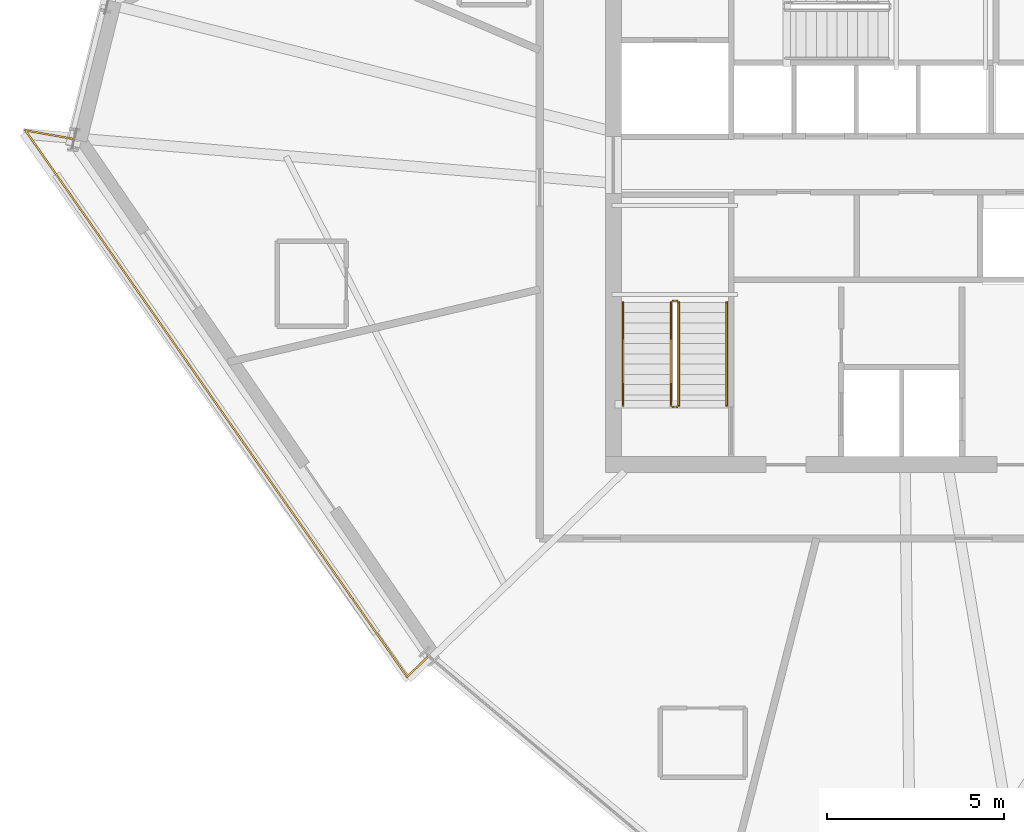
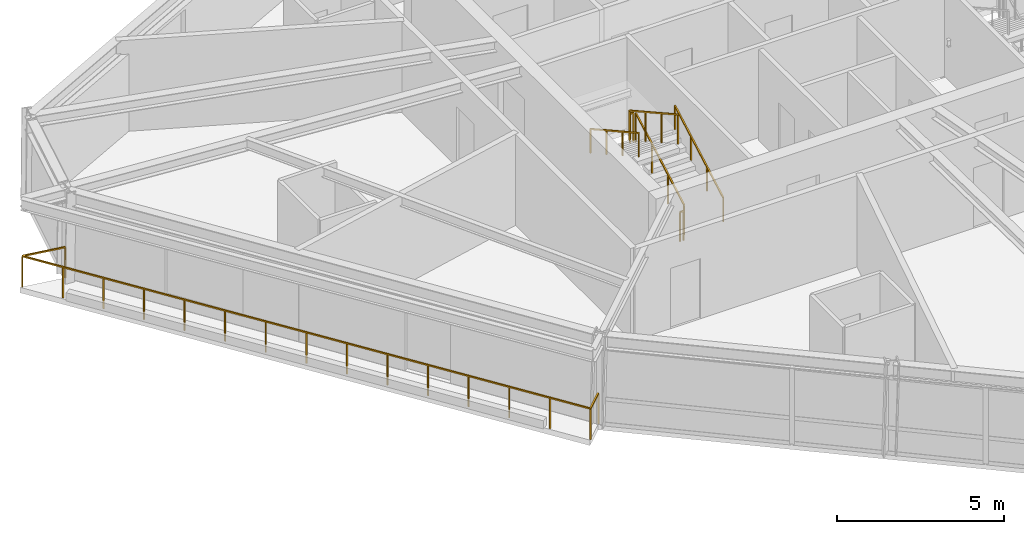
# One storey, part 12 of 14: 7 railings.
"""IFC4 building model written with IfcOpenShell, lengths in metres."""

import ifcopenshell
import ifcopenshell.guid

model = None  # the IFC model being written
_history = None  # IfcOwnerHistory: only IFC2X3 demands one
_inside = {}  # id of a spatial element -> (the spatial element, [elements in it])
_under = {}  # id of a project, library or spatial element -> (it, [spatial elements below it])
_declared = {}  # id of a project -> (the project, [libraries it declares])
_typed = {}  # id of a type object -> (the type object, [elements of that type])
_made_of = {}  # id of a material, layer set ... -> (it, [elements and type objects made of it])


def new_model(schema):
    """Start an empty IFC model of exactly this schema.

    Asked for "IFC4X3", IfcOpenShell would pick the latest addendum, in which some entities
    have other attributes; the version numbers below select the first issue.
    IFC2X3 requires an IfcOwnerHistory on every rooted entity: one is made here for all.
    """
    global model, _history
    if schema == "IFC4X3":
        model = ifcopenshell.file(schema_version=(4, 3, 0, 0))
    else:
        model = ifcopenshell.file(schema=schema)
    _inside.clear()
    _under.clear()
    _declared.clear()
    _typed.clear()
    _made_of.clear()
    _history = None
    if model.schema == "IFC2X3":
        org = make("IfcOrganization", Name="unknown")
        user = make(
            "IfcPersonAndOrganization",
            ThePerson=make("IfcPerson", FamilyName="unknown"),
            TheOrganization=org,
        )
        app = make(
            "IfcApplication",
            ApplicationDeveloper=org,
            Version="unknown",
            ApplicationFullName="unknown",
            ApplicationIdentifier="unknown",
        )
        _history = make(
            "IfcOwnerHistory",
            OwningUser=user,
            OwningApplication=app,
            ChangeAction="ADDED",
            CreationDate=0,
        )
    return model


def make(cls, **values):
    """One entity of the class cls with the attributes given. An attribute that is None is left unset."""
    return model.create_entity(
        cls, **{name: value for name, value in values.items() if value is not None}
    )


def rooted(cls, **values):
    """An entity with a GlobalId (a new one), such as an element, a storey or a relation."""
    return make(cls, GlobalId=ifcopenshell.guid.new(), OwnerHistory=_history, **values)


def si_unit(unit_type, name, prefix=None):
    """IfcSIUnit, for example si_unit("LENGTHUNIT", "METRE", prefix="MILLI")."""
    return make("IfcSIUnit", UnitType=unit_type, Prefix=prefix, Name=name)


def assignment(units):
    """IfcUnitAssignment: the units of a project."""
    return None if units is None else make("IfcUnitAssignment", Units=units)


def point(xyz):
    """IfcCartesianPoint."""
    return None if xyz is None else make("IfcCartesianPoint", Coordinates=xyz)


def direction(xyz):
    """IfcDirection."""
    return None if xyz is None else make("IfcDirection", DirectionRatios=xyz)


def frame(location, z_axis=None, x_axis=None):
    """IfcAxis2Placement3D, a coordinate frame: its origin and axes. An axis left out is left unset."""
    return make(
        "IfcAxis2Placement3D",
        Location=point(location),
        Axis=direction(z_axis),
        RefDirection=direction(x_axis),
    )


def frame_2d(location, x_axis=None):
    """IfcAxis2Placement2D, a coordinate frame in the plane: its origin and x axis."""
    return make(
        "IfcAxis2Placement2D", Location=point(location), RefDirection=direction(x_axis)
    )


def origin():
    """The frame at (0, 0, 0) with its axes left unset."""
    return frame((0.0, 0.0, 0.0))


def origin_2d():
    """The frame at (0, 0) in the plane with its x axis left unset."""
    return frame_2d((0.0, 0.0))


def place(relative_to, where):
    """IfcLocalPlacement: puts the frame where relative to a parent placement (None: the world)."""
    return make(
        "IfcLocalPlacement", PlacementRelTo=relative_to, RelativePlacement=where
    )


def context(
    kind, dimensions, precision=None, world=None, true_north=None, identifier=None
):
    """IfcGeometricRepresentationContext, for example the 3D "Model" context."""
    return make(
        "IfcGeometricRepresentationContext",
        ContextIdentifier=identifier,
        ContextType=kind,
        CoordinateSpaceDimension=dimensions,
        Precision=precision,
        WorldCoordinateSystem=world,
        TrueNorth=true_north,
    )


def subcontext(parent, identifier, kind, view, scale=None):
    """IfcGeometricRepresentationSubContext, for example "Body" below "Model"."""
    return make(
        "IfcGeometricRepresentationSubContext",
        ContextIdentifier=identifier,
        ContextType=kind,
        ParentContext=parent,
        TargetScale=scale,
        TargetView=view,
    )


def project(units=None, contexts=None):
    """IfcProject with its units and contexts."""
    return rooted(
        "IfcProject",
        Name="project",
        RepresentationContexts=contexts,
        UnitsInContext=assignment(units),
    )


def spatial(cls, under=None, at=None, **own):
    """A site, building, storey or space (cls), placed at a placement, below another one or the project."""
    s = rooted(cls, ObjectPlacement=at, **own)
    if under is not None:
        _under.setdefault(under.id(), (under, []))[1].append(s)
    return s


def profile(cls, at=None, kind="AREA", **sizes):
    """A parametric profile (cls). Its sizes go by their IFC names, for example OverallWidth=200.0."""
    return make(cls, ProfileType=kind, Position=at, **sizes)


def rectangle(**sizes):
    """IfcRectangleProfileDef."""
    return profile("IfcRectangleProfileDef", **sizes)


def extrude(swept, where, along, depth):
    """IfcExtrudedAreaSolid: the profile swept, set in the frame where, extruded along a direction by depth."""
    return make(
        "IfcExtrudedAreaSolid",
        SweptArea=swept,
        Position=where,
        ExtrudedDirection=direction(along),
        Depth=depth,
    )


def shape(context_of_items, identifier, shape_type, items):
    """IfcShapeRepresentation: the items that make up one representation, for example the "Body"."""
    return make(
        "IfcShapeRepresentation",
        ContextOfItems=context_of_items,
        RepresentationIdentifier=identifier,
        RepresentationType=shape_type,
        Items=items,
    )


def material(Name=None, Category=None):
    """IfcMaterial."""
    return make("IfcMaterial", Name=Name, Category=Category)


def made_of(thing, what):
    """Note that an element or type object is made of a material, layer set ...; save() writes the relation."""
    if what is not None:
        _made_of.setdefault(what.id(), (what, []))[1].append(thing)
    return thing


def type_object(cls, material=None, **own):
    """A type object (cls), such as IfcWallType, which elements share."""
    return made_of(rooted(cls, **own), material)


def element(
    cls,
    number,
    at=None,
    inside=None,
    cuts=None,
    type_object=None,
    material=None,
    context=None,
    identifier="Body",
    shape_type=None,
    held_by="IfcProductDefinitionShape",
    body=None,
    shapes=None,
    **own,
):
    """One element of the class cls, such as IfcWall. Its Tag is "e" and its number.

    at: its placement. inside: the storey or other place that contains it. cuts: it is an
    opening in that element (IfcRelVoidsElement). A single representation is given by context,
    identifier, shape_type and body (its items); several are given by shapes. held_by: the class
    of the entity that holds the representations. save() writes the other relations.
    """
    e = rooted(cls, Tag="e%d" % number, ObjectPlacement=at, **own)
    if body is not None:
        shapes = [shape(context, identifier, shape_type, body)]
    if shapes is not None:
        e.Representation = make(held_by, Representations=shapes)
    if inside is not None:
        _inside.setdefault(inside.id(), (inside, []))[1].append(e)
    if cuts is not None:
        rooted(
            "IfcRelVoidsElement", RelatingBuildingElement=cuts, RelatedOpeningElement=e
        )
    if type_object is not None:
        _typed.setdefault(type_object.id(), (type_object, []))[1].append(e)
    return made_of(e, material)


def aggregate(whole, parts):
    """IfcRelAggregates: a whole, such as a stair, and the parts it consists of."""
    return rooted("IfcRelAggregates", RelatingObject=whole, RelatedObjects=parts)


def save(model, path):
    """Write the relations noted so far, then the file.

    IfcRelAggregates (storeys below a building ...), IfcRelContainedInSpatialStructure (elements
    in a storey), IfcRelDefinesByType, IfcRelAssociatesMaterial and IfcRelDeclares: one each for
    every whole, place, type object, material and project.
    """
    for whole, parts in _under.values():
        aggregate(whole, parts)
    for where, things in _inside.values():
        rooted(
            "IfcRelContainedInSpatialStructure",
            RelatedElements=things,
            RelatingStructure=where,
        )
    for kind, things in _typed.values():
        rooted("IfcRelDefinesByType", RelatedObjects=things, RelatingType=kind)
    for what, things in _made_of.values():
        rooted("IfcRelAssociatesMaterial", RelatedObjects=things, RelatingMaterial=what)
    for by, libraries in _declared.values():
        rooted("IfcRelDeclares", RelatingContext=by, RelatedDefinitions=libraries)
    model.write(path)


model = new_model("IFC4")

# Units and contexts
model_context = context("Model", 3, precision=1e-05, world=origin(), true_north=direction((0.0, 1.0)))
body_context = subcontext(model_context, "Body", "Model", "MODEL_VIEW")
ifc_project = project(units=[si_unit("LENGTHUNIT", "METRE"), si_unit("AREAUNIT", "SQUARE_METRE"), si_unit("VOLUMEUNIT", "CUBIC_METRE"), si_unit("PLANEANGLEUNIT", "RADIAN"), si_unit("MASSUNIT", "GRAM", prefix="KILO")], contexts=[model_context])

# Site, building, storey
site_placement = place(None, origin())
site = spatial("IfcSite", under=ifc_project, at=site_placement, CompositionType="ELEMENT")
building_placement = place(site_placement, origin())
building = spatial("IfcBuilding", under=site, at=building_placement, Name="Olszyna Solenne Hotel", CompositionType="ELEMENT")
storey_placement = place(building_placement, frame((0.0, 0.0, 216.699951171875)))
storey = spatial("IfcBuildingStorey", under=building, at=storey_placement, Name="L57", CompositionType="ELEMENT", Elevation=216.699951171875)

# Railings
ifc_material_1 = material(Name="Anodised bronze aluminium", Category="aluminium")
railing_type_1 = type_object("IfcRailingType", Name="GR-110", PredefinedType="BALUSTRADE", material=ifc_material_1)
railing_1_placement = place(storey_placement, frame((14.665771484375, 28.456298828125, 0.0)))
element("IfcRailing", 1, at=railing_1_placement, inside=storey, type_object=railing_type_1, Name="Loggia balcony balustrade guard GR-L57-LG2", PredefinedType="BALUSTRADE", context=body_context, shape_type="SweptSolid", body=[
    extrude(rectangle(XDim=0.048095703125, YDim=0.048095703125, at=origin_2d()), frame((0.0, 0.0, 1.1259765625), z_axis=(-0.984865433528, 0.173320736909, 0.0), x_axis=(-0.173320736909, -0.984865433528, 0.0)), (0.0, 0.0, 1.0), 1.37890625),
    extrude(rectangle(XDim=0.048095703125, YDim=0.048095703125, at=origin_2d()), frame((-1.358154296875, 0.239013671875, 1.1259765625), z_axis=(0.572482266983, -0.819917101901, 0.0), x_axis=(0.819917101901, 0.572482266983, 0.0)), (0.0, 0.0, 1.0), 18.782470703125),
    extrude(rectangle(XDim=0.048095703125, YDim=0.048095703125, at=origin_2d()), frame((9.39453125, -15.1611328125, 1.1259765625), z_axis=(0.720827517657, 0.69311448534, 0.0), x_axis=(-0.69311448534, 0.720827517657, 0.0)), (0.0, 0.0, 1.0), 0.845703125),
    extrude(rectangle(XDim=0.0419921875, YDim=0.0419921875, at=origin_2d()), origin(), (0.0, 0.0, 1.0), 1.101806640625),
    extrude(rectangle(XDim=0.0419921875, YDim=0.0419921875, at=origin_2d()), frame((-1.358154296875, 0.239013671875, 0.0)), (0.0, 0.0, 1.0), 1.101806640625),
    extrude(rectangle(XDim=0.0419921875, YDim=0.0419921875, at=origin_2d()), frame((-0.590087890625, -0.861083984375, 0.0)), (0.0, 0.0, 1.0), 1.101806640625),
    extrude(rectangle(XDim=0.0419921875, YDim=0.0419921875, at=origin_2d()), frame((0.177978515625, -1.9609375, 0.0)), (0.0, 0.0, 1.0), 1.101806640625),
    extrude(rectangle(XDim=0.0419921875, YDim=0.0419921875, at=origin_2d()), frame((0.946044921875, -3.06103515625, 0.0)), (0.0, 0.0, 1.0), 1.101806640625),
    extrude(rectangle(XDim=0.0419921875, YDim=0.0419921875, at=origin_2d()), frame((1.714111328125, -4.1611328125, 0.0)), (0.0, 0.0, 1.0), 1.101806640625),
    extrude(rectangle(XDim=0.0419921875, YDim=0.0419921875, at=origin_2d()), frame((2.482177734375, -5.260986328125, 0.0)), (0.0, 0.0, 1.0), 1.101806640625),
    extrude(rectangle(XDim=0.0419921875, YDim=0.0419921875, at=origin_2d()), frame((3.250244140625, -6.361083984375, 0.0)), (0.0, 0.0, 1.0), 1.101806640625),
    extrude(rectangle(XDim=0.0419921875, YDim=0.0419921875, at=origin_2d()), frame((4.01806640625, -7.4609375, 0.0)), (0.0, 0.0, 1.0), 1.101806640625),
    extrude(rectangle(XDim=0.0419921875, YDim=0.0419921875, at=origin_2d()), frame((4.7861328125, -8.56103515625, 0.0)), (0.0, 0.0, 1.0), 1.101806640625),
    extrude(rectangle(XDim=0.0419921875, YDim=0.0419921875, at=origin_2d()), frame((5.55419921875, -9.6611328125, 0.0)), (0.0, 0.0, 1.0), 1.101806640625),
    extrude(rectangle(XDim=0.0419921875, YDim=0.0419921875, at=origin_2d()), frame((6.322265625, -10.760986328125, 0.0)), (0.0, 0.0, 1.0), 1.101806640625),
    extrude(rectangle(XDim=0.0419921875, YDim=0.0419921875, at=origin_2d()), frame((7.09033203125, -11.861083984375, 0.0)), (0.0, 0.0, 1.0), 1.101806640625),
    extrude(rectangle(XDim=0.0419921875, YDim=0.0419921875, at=origin_2d()), frame((7.8583984375, -12.961181640625, 0.0)), (0.0, 0.0, 1.0), 1.101806640625),
    extrude(rectangle(XDim=0.0419921875, YDim=0.0419921875, at=origin_2d()), frame((8.62646484375, -14.06103515625, 0.0)), (0.0, 0.0, 1.0), 1.101806640625),
    extrude(rectangle(XDim=0.0419921875, YDim=0.0419921875, at=origin_2d()), frame((9.39453125, -15.1611328125, 0.0)), (0.0, 0.0, 1.0), 1.101806640625),
    extrude(rectangle(XDim=0.0419921875, YDim=0.0419921875, at=origin_2d()), frame((10.004150390625, -14.574951171875, 0.0)), (0.0, 0.0, 1.0), 1.101806640625),
])
railing_2_placement = place(storey_placement, frame((31.719970703125, 20.949951171875, 0.161376953125)))
element("IfcRailing", 2, at=railing_2_placement, inside=storey, type_object=railing_type_1, Name="L57 ST1 stair guard 1", PredefinedType="BALUSTRADE", context=body_context, shape_type="SweptSolid", body=[
    extrude(rectangle(XDim=0.048095703125, YDim=0.048095703125, at=origin_2d()), frame((0.0, 0.0, 1.076171875), z_axis=(0.0, 0.873827439584, 0.48623616261), x_axis=(-1.0, 0.0, 0.0)), (0.0, 0.0, 1.0), 3.31884765625),
    extrude(rectangle(XDim=0.0419921875, YDim=0.0419921875, at=origin_2d()), origin(), (0.0, 0.0, 1.0), 1.052001953125),
    extrude(rectangle(XDim=0.0419921875, YDim=0.0419921875, at=origin_2d()), frame((0.0, 0.966796875, 0.537841796875)), (0.0, 0.0, 1.0), 1.052001953125),
    extrude(rectangle(XDim=0.0419921875, YDim=0.0419921875, at=origin_2d()), frame((0.0, 1.933349609375, 1.075927734375)), (0.0, 0.0, 1.0), 1.052001953125),
    extrude(rectangle(XDim=0.0419921875, YDim=0.0419921875, at=origin_2d()), frame((0.0, 2.900146484375, 1.61376953125)), (0.0, 0.0, 1.0), 1.052001953125),
])
railing_3_placement = place(storey_placement, frame((31.669921875, 23.89990234375, 1.775146484375)))
element("IfcRailing", 3, at=railing_3_placement, inside=storey, type_object=railing_type_1, Name="L57 ST1 stair guard 2", PredefinedType="BALUSTRADE", context=body_context, shape_type="SweptSolid", body=[
    extrude(rectangle(XDim=0.048095703125, YDim=0.048095703125, at=origin_2d()), frame((0.0, 0.0, 1.076171875), z_axis=(-1.0, 0.0, 0.0), x_axis=(0.0, -1.0, 0.0)), (0.0, 0.0, 1.0), 0.119873046875),
    extrude(rectangle(XDim=0.0419921875, YDim=0.0419921875, at=origin_2d()), origin(), (0.0, 0.0, 1.0), 1.052001953125),
    extrude(rectangle(XDim=0.0419921875, YDim=0.0419921875, at=origin_2d()), frame((-0.119873046875, 0.0, 0.0)), (0.0, 0.0, 1.0), 1.052001953125),
])
railing_4_placement = place(storey_placement, frame((31.5, 23.85009765625, 1.9365234375)))
element("IfcRailing", 4, at=railing_4_placement, inside=storey, type_object=railing_type_1, Name="L57 ST1 stair guard 3", PredefinedType="BALUSTRADE", context=body_context, shape_type="SweptSolid", body=[
    extrude(rectangle(XDim=0.048095703125, YDim=0.048095703125, at=origin_2d()), frame((0.0, 0.0, 1.076171875), z_axis=(0.0, -0.873858693841, 0.486179990537), x_axis=(1.0, 0.0, 0.0)), (0.0, 0.0, 1.0), 3.31884765625),
    extrude(rectangle(XDim=0.0419921875, YDim=0.0419921875, at=origin_2d()), origin(), (0.0, 0.0, 1.0), 1.052001953125),
    extrude(rectangle(XDim=0.0419921875, YDim=0.0419921875, at=origin_2d()), frame((0.0, -0.966796875, 0.537841796875)), (0.0, 0.0, 1.0), 1.052001953125),
    extrude(rectangle(XDim=0.0419921875, YDim=0.0419921875, at=origin_2d()), frame((0.0, -1.933349609375, 1.07568359375)), (0.0, 0.0, 1.0), 1.052001953125),
    extrude(rectangle(XDim=0.0419921875, YDim=0.0419921875, at=origin_2d()), frame((0.0, -2.900146484375, 1.613525390625)), (0.0, 0.0, 1.0), 1.052001953125),
])
railing_5_placement = place(storey_placement, frame((31.669921875, 20.89990234375, 0.0)))
element("IfcRailing", 5, at=railing_5_placement, inside=storey, type_object=railing_type_1, Name="L57 ST1 stair guard 4", PredefinedType="BALUSTRADE", context=body_context, shape_type="SweptSolid", body=[
    extrude(rectangle(XDim=0.048095703125, YDim=0.048095703125, at=origin_2d()), frame((0.0, 0.0, 1.076171875), z_axis=(-1.0, 0.0, 0.0), x_axis=(0.0, -1.0, 0.0)), (0.0, 0.0, 1.0), 0.119873046875),
    extrude(rectangle(XDim=0.0419921875, YDim=0.0419921875, at=origin_2d()), origin(), (0.0, 0.0, 1.0), 1.052001953125),
    extrude(rectangle(XDim=0.0419921875, YDim=0.0419921875, at=origin_2d()), frame((-0.119873046875, 0.0, 0.0)), (0.0, 0.0, 1.0), 1.052001953125),
])
ifc_material_2 = material(Name="Steel S355J2", Category="steel")
railing_type_2 = type_object("IfcRailingType", Name="HR-090", PredefinedType="HANDRAIL", material=ifc_material_2)
railing_6_placement = place(storey_placement, frame((33.070068359375, 20.949951171875, 0.161376953125)))
element("IfcRailing", 6, at=railing_6_placement, inside=storey, type_object=railing_type_2, Name="L57 ST1 stair handrail 1", PredefinedType="HANDRAIL", context=body_context, shape_type="SweptSolid", body=[
    extrude(rectangle(XDim=0.048095703125, YDim=0.048095703125, at=origin_2d()), frame((0.0, 0.0, 0.8759765625), z_axis=(0.0, 0.873827439584, 0.48623616261), x_axis=(-1.0, 0.0, 0.0)), (0.0, 0.0, 1.0), 3.31884765625),
    extrude(rectangle(XDim=0.0419921875, YDim=0.0419921875, at=origin_2d()), origin(), (0.0, 0.0, 1.0), 0.851806640625),
    extrude(rectangle(XDim=0.0419921875, YDim=0.0419921875, at=origin_2d()), frame((0.0, 0.966796875, 0.537841796875)), (0.0, 0.0, 1.0), 0.851806640625),
    extrude(rectangle(XDim=0.0419921875, YDim=0.0419921875, at=origin_2d()), frame((0.0, 1.933349609375, 1.075927734375)), (0.0, 0.0, 1.0), 0.851806640625),
    extrude(rectangle(XDim=0.0419921875, YDim=0.0419921875, at=origin_2d()), frame((0.0, 2.900146484375, 1.61376953125)), (0.0, 0.0, 1.0), 0.851806640625),
])
railing_7_placement = place(storey_placement, frame((30.14990234375, 23.85009765625, 1.9365234375)))
element("IfcRailing", 7, at=railing_7_placement, inside=storey, type_object=railing_type_2, Name="L57 ST1 stair handrail 2", PredefinedType="HANDRAIL", context=body_context, shape_type="SweptSolid", body=[
    extrude(rectangle(XDim=0.048095703125, YDim=0.048095703125, at=origin_2d()), frame((0.0, 0.0, 0.8759765625), z_axis=(0.0, -0.873858693841, 0.486179990537), x_axis=(1.0, 0.0, 0.0)), (0.0, 0.0, 1.0), 3.31884765625),
    extrude(rectangle(XDim=0.0419921875, YDim=0.0419921875, at=origin_2d()), origin(), (0.0, 0.0, 1.0), 0.851806640625),
    extrude(rectangle(XDim=0.0419921875, YDim=0.0419921875, at=origin_2d()), frame((0.0, -0.966796875, 0.537841796875)), (0.0, 0.0, 1.0), 0.851806640625),
    extrude(rectangle(XDim=0.0419921875, YDim=0.0419921875, at=origin_2d()), frame((0.0, -1.933349609375, 1.07568359375)), (0.0, 0.0, 1.0), 0.851806640625),
    extrude(rectangle(XDim=0.0419921875, YDim=0.0419921875, at=origin_2d()), frame((0.0, -2.900146484375, 1.613525390625)), (0.0, 0.0, 1.0), 0.851806640625),
])

save(model, "model.ifc")
